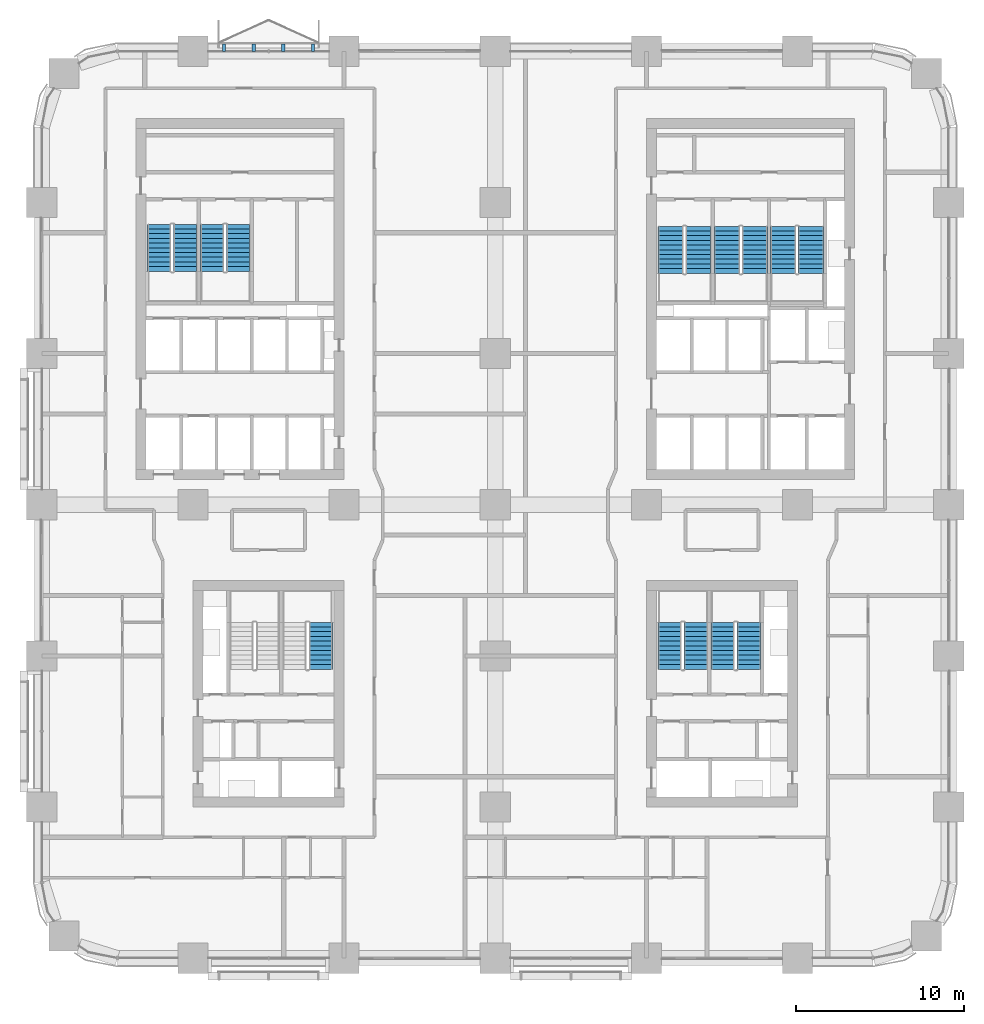
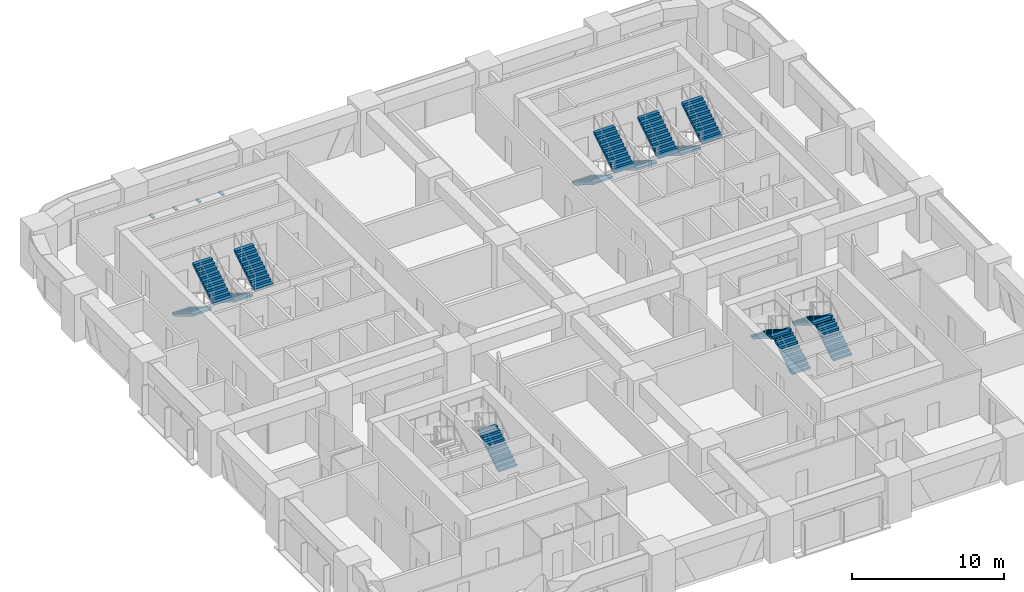
# One storey, part 20 of 23: 15 stair flights, 4 discrete accessories, 8 elements without a shape of their own.
"""IFC4 building model written with IfcOpenShell, lengths in metres."""

from ifc_helpers import new_model, si_unit, direction, frame, origin, origin_2d, place, context, subcontext, project, spatial, polyline, rectangle, outline, extrude, material, type_object, element, aggregate, save


model = new_model("IFC4")

# Units and contexts
model_context = context("Model", 3, precision=1e-05, world=origin(), true_north=direction((0.0, 1.0)))
body_context = subcontext(model_context, "Body", "Model", "MODEL_VIEW")
ifc_project = project(units=[si_unit("LENGTHUNIT", "METRE"), si_unit("AREAUNIT", "SQUARE_METRE"), si_unit("VOLUMEUNIT", "CUBIC_METRE"), si_unit("PLANEANGLEUNIT", "RADIAN"), si_unit("MASSUNIT", "GRAM", prefix="KILO")], contexts=[model_context])

# Site, building, storey
site_placement = place(None, origin())
site = spatial("IfcSite", under=ifc_project, at=site_placement, CompositionType="ELEMENT")
building_placement = place(site_placement, origin())
building = spatial("IfcBuilding", under=site, at=building_placement, Name="Tessera Arch", CompositionType="ELEMENT")
storey_placement = place(building_placement, frame((0.0, 0.0, 57.60009765625)))
storey = spatial("IfcBuildingStorey", under=building, at=storey_placement, Name="L12", CompositionType="ELEMENT", Elevation=57.60009765625)

# Stair, stair flights
ifc_material_1 = material(Name="Concrete C40/50", Category="concrete")
stair_type_1 = type_object("IfcStairType", Name="Dogleg stair 1400", PredefinedType="HALF_TURN_STAIR", material=ifc_material_1)
stair_1_placement = place(storey_placement, origin())
stair_1 = element("IfcStair", 1, at=stair_1_placement, inside=storey, type_object=stair_type_1, Name="L12 S2a", PredefinedType="HALF_TURN_STAIR")
ifc_material_2 = material(Name="Concrete C40/50", Category="concrete")
stair_flight_type_1 = type_object("IfcStairFlightType", Name="Stair flight 1400", PredefinedType="STRAIGHT", material=ifc_material_2)
stair_flight_1_placement = place(storey_placement, frame((7.0, 43.699951171875, 0.0), z_axis=(0.0, 0.0, 1.0), x_axis=(0.0, -1.0, 0.0)))
stair_flight_1 = element("IfcStairFlight", 2, at=stair_flight_1_placement, type_object=stair_flight_type_1, Name="S2a flight 1", NumberOfRisers=11, NumberOfTreads=10, PredefinedType="STRAIGHT", RiserHeight=0.172727273, TreadLength=0.28, context=body_context, shape_type="SweptSolid", body=[
    extrude(outline(polyline([(0.0, 0.0), (0.0, 0.172607421875), (0.280029296875, 0.172607421875), (0.280029296875, 0.345458984375), (0.56005859375, 0.345458984375), (0.56005859375, 0.51806640625), (0.840087890625, 0.51806640625), (0.840087890625, 0.69091796875), (1.1201171875, 0.69091796875), (1.1201171875, 0.863525390625), (1.39990234375, 0.863525390625), (1.39990234375, 1.036376953125), (1.679931640625, 1.036376953125), (1.679931640625, 1.208984375), (1.9599609375, 1.208984375), (1.9599609375, 1.3818359375), (2.239990234375, 1.3818359375), (2.239990234375, 1.554443359375), (2.52001953125, 1.554443359375), (2.52001953125, 1.727294921875), (2.800048828125, 1.727294921875), (2.800048828125, 1.89990234375), (2.800048828125, 1.551025390625), (0.285400390625, 0.0), (0.0, 0.0)])), frame((0.0, 0.699951171875, 0.0), z_axis=(0.0, -1.0, 0.0), x_axis=(1.0, 0.0, 0.0)), (0.0, 0.0, 1.0), 1.39990234375),
])
stair_flight_2_placement = place(storey_placement, frame((8.550048828125, 40.89990234375, 1.89990234375), z_axis=(0.0, 0.0, 1.0), x_axis=(0.0, 1.0, 0.0)))
stair_flight_2 = element("IfcStairFlight", 3, at=stair_flight_2_placement, type_object=stair_flight_type_1, Name="S2a flight 2", NumberOfRisers=11, NumberOfTreads=10, PredefinedType="STRAIGHT", RiserHeight=0.172727273, TreadLength=0.28, context=body_context, shape_type="SweptSolid", body=[
    extrude(outline(polyline([(0.0, 0.0), (0.0, 0.172607421875), (0.280029296875, 0.172607421875), (0.280029296875, 0.345458984375), (0.56005859375, 0.345458984375), (0.56005859375, 0.51806640625), (0.840087890625, 0.51806640625), (0.840087890625, 0.69091796875), (1.1201171875, 0.69091796875), (1.1201171875, 0.863525390625), (1.39990234375, 0.863525390625), (1.39990234375, 1.036376953125), (1.679931640625, 1.036376953125), (1.679931640625, 1.208984375), (1.9599609375, 1.208984375), (1.9599609375, 1.3818359375), (2.239990234375, 1.3818359375), (2.239990234375, 1.554443359375), (2.52001953125, 1.554443359375), (2.52001953125, 1.727294921875), (2.800048828125, 1.727294921875), (2.800048828125, 1.89990234375), (2.800048828125, 1.551025390625), (0.285400390625, 0.0), (0.0, 0.0)])), frame((0.0, 0.699951171875, 0.0), z_axis=(0.0, -1.0, 0.0), x_axis=(1.0, 0.0, 0.0)), (0.0, 0.0, 1.0), 1.39990234375),
])
aggregate(stair_1, [stair_flight_1, stair_flight_2])

stair_2_placement = place(storey_placement, origin())
stair_2 = element("IfcStair", 4, at=stair_2_placement, inside=storey, type_object=stair_type_1, Name="L12 S2b", PredefinedType="HALF_TURN_STAIR")
stair_flight_3_placement = place(storey_placement, frame((10.14990234375, 43.699951171875, 0.0), z_axis=(0.0, 0.0, 1.0), x_axis=(0.0, -1.0, 0.0)))
stair_flight_3 = element("IfcStairFlight", 5, at=stair_flight_3_placement, type_object=stair_flight_type_1, Name="S2b flight 1", NumberOfRisers=11, NumberOfTreads=10, PredefinedType="STRAIGHT", RiserHeight=0.172727273, TreadLength=0.28, context=body_context, shape_type="SweptSolid", body=[
    extrude(outline(polyline([(0.0, 0.0), (0.0, 0.172607421875), (0.280029296875, 0.172607421875), (0.280029296875, 0.345458984375), (0.56005859375, 0.345458984375), (0.56005859375, 0.51806640625), (0.840087890625, 0.51806640625), (0.840087890625, 0.69091796875), (1.1201171875, 0.69091796875), (1.1201171875, 0.863525390625), (1.39990234375, 0.863525390625), (1.39990234375, 1.036376953125), (1.679931640625, 1.036376953125), (1.679931640625, 1.208984375), (1.9599609375, 1.208984375), (1.9599609375, 1.3818359375), (2.239990234375, 1.3818359375), (2.239990234375, 1.554443359375), (2.52001953125, 1.554443359375), (2.52001953125, 1.727294921875), (2.800048828125, 1.727294921875), (2.800048828125, 1.89990234375), (2.800048828125, 1.551025390625), (0.285400390625, 0.0), (0.0, 0.0)])), frame((0.0, 0.699951171875, 0.0), z_axis=(0.0, -1.0, 0.0), x_axis=(1.0, 0.0, 0.0)), (0.0, 0.0, 1.0), 1.39990234375),
])
stair_flight_4_placement = place(storey_placement, frame((11.699951171875, 40.89990234375, 1.89990234375), z_axis=(0.0, 0.0, 1.0), x_axis=(0.0, 1.0, 0.0)))
stair_flight_4 = element("IfcStairFlight", 6, at=stair_flight_4_placement, type_object=stair_flight_type_1, Name="S2b flight 2", NumberOfRisers=11, NumberOfTreads=10, PredefinedType="STRAIGHT", RiserHeight=0.172727273, TreadLength=0.28, context=body_context, shape_type="SweptSolid", body=[
    extrude(outline(polyline([(0.0, 0.0), (0.0, 0.172607421875), (0.280029296875, 0.172607421875), (0.280029296875, 0.345458984375), (0.56005859375, 0.345458984375), (0.56005859375, 0.51806640625), (0.840087890625, 0.51806640625), (0.840087890625, 0.69091796875), (1.1201171875, 0.69091796875), (1.1201171875, 0.863525390625), (1.39990234375, 0.863525390625), (1.39990234375, 1.036376953125), (1.679931640625, 1.036376953125), (1.679931640625, 1.208984375), (1.9599609375, 1.208984375), (1.9599609375, 1.3818359375), (2.239990234375, 1.3818359375), (2.239990234375, 1.554443359375), (2.52001953125, 1.554443359375), (2.52001953125, 1.727294921875), (2.800048828125, 1.727294921875), (2.800048828125, 1.89990234375), (2.800048828125, 1.551025390625), (0.285400390625, 0.0), (0.0, 0.0)])), frame((0.0, 0.699951171875, 0.0), z_axis=(0.0, -1.0, 0.0), x_axis=(1.0, 0.0, 0.0)), (0.0, 0.0, 1.0), 1.39990234375),
])
aggregate(stair_2, [stair_flight_3, stair_flight_4])

stair_3_placement = place(storey_placement, origin())
stair_3 = element("IfcStair", 7, at=stair_3_placement, inside=storey, type_object=stair_type_1, Name="L12 S3a", PredefinedType="HALF_TURN_STAIR")
stair_flight_5_placement = place(storey_placement, frame((38.949951171875, 17.199951171875, 0.0), z_axis=(0.0, 0.0, 1.0), x_axis=(0.0, 1.0, 0.0)))
stair_flight_5 = element("IfcStairFlight", 8, at=stair_flight_5_placement, type_object=stair_flight_type_1, Name="S3a flight 1", NumberOfRisers=11, NumberOfTreads=10, PredefinedType="STRAIGHT", RiserHeight=0.172727273, TreadLength=0.28, context=body_context, shape_type="SweptSolid", body=[
    extrude(outline(polyline([(0.0, 0.0), (0.0, 0.172607421875), (0.280029296875, 0.172607421875), (0.280029296875, 0.345458984375), (0.56005859375, 0.345458984375), (0.56005859375, 0.51806640625), (0.840087890625, 0.51806640625), (0.840087890625, 0.69091796875), (1.1201171875, 0.69091796875), (1.1201171875, 0.863525390625), (1.39990234375, 0.863525390625), (1.39990234375, 1.036376953125), (1.679931640625, 1.036376953125), (1.679931640625, 1.208984375), (1.9599609375, 1.208984375), (1.9599609375, 1.3818359375), (2.239990234375, 1.3818359375), (2.239990234375, 1.554443359375), (2.52001953125, 1.554443359375), (2.52001953125, 1.727294921875), (2.800048828125, 1.727294921875), (2.800048828125, 1.89990234375), (2.800048828125, 1.551025390625), (0.285400390625, 0.0), (0.0, 0.0)])), frame((0.0, 0.699951171875, 0.0), z_axis=(0.0, -1.0, 0.0), x_axis=(1.0, 0.0, 0.0)), (0.0, 0.0, 1.0), 1.39990234375),
])
stair_flight_6_placement = place(storey_placement, frame((37.39990234375, 20.0, 1.89990234375), z_axis=(0.0, 0.0, 1.0), x_axis=(0.0, -1.0, 0.0)))
stair_flight_6 = element("IfcStairFlight", 9, at=stair_flight_6_placement, type_object=stair_flight_type_1, Name="S3a flight 2", NumberOfRisers=11, NumberOfTreads=10, PredefinedType="STRAIGHT", RiserHeight=0.172727273, TreadLength=0.28, context=body_context, shape_type="SweptSolid", body=[
    extrude(outline(polyline([(0.0, 0.0), (0.0, 0.172607421875), (0.280029296875, 0.172607421875), (0.280029296875, 0.345458984375), (0.56005859375, 0.345458984375), (0.56005859375, 0.51806640625), (0.840087890625, 0.51806640625), (0.840087890625, 0.69091796875), (1.1201171875, 0.69091796875), (1.1201171875, 0.863525390625), (1.39990234375, 0.863525390625), (1.39990234375, 1.036376953125), (1.679931640625, 1.036376953125), (1.679931640625, 1.208984375), (1.9599609375, 1.208984375), (1.9599609375, 1.3818359375), (2.239990234375, 1.3818359375), (2.239990234375, 1.554443359375), (2.52001953125, 1.554443359375), (2.52001953125, 1.727294921875), (2.800048828125, 1.727294921875), (2.800048828125, 1.89990234375), (2.800048828125, 1.551025390625), (0.285400390625, 0.0), (0.0, 0.0)])), frame((0.0, 0.699951171875, 0.0), z_axis=(0.0, -1.0, 0.0), x_axis=(1.0, 0.0, 0.0)), (0.0, 0.0, 1.0), 1.39990234375),
])
aggregate(stair_3, [stair_flight_5, stair_flight_6])

stair_4_placement = place(storey_placement, origin())
stair_4 = element("IfcStair", 10, at=stair_4_placement, inside=storey, type_object=stair_type_1, Name="L12 S3b", PredefinedType="HALF_TURN_STAIR")
stair_flight_7_placement = place(storey_placement, frame((42.10009765625, 17.199951171875, 0.0), z_axis=(0.0, 0.0, 1.0), x_axis=(0.0, 1.0, 0.0)))
stair_flight_7 = element("IfcStairFlight", 11, at=stair_flight_7_placement, type_object=stair_flight_type_1, Name="S3b flight 1", NumberOfRisers=11, NumberOfTreads=10, PredefinedType="STRAIGHT", RiserHeight=0.172727273, TreadLength=0.28, context=body_context, shape_type="SweptSolid", body=[
    extrude(outline(polyline([(0.0, 0.0), (0.0, 0.172607421875), (0.280029296875, 0.172607421875), (0.280029296875, 0.345458984375), (0.56005859375, 0.345458984375), (0.56005859375, 0.51806640625), (0.840087890625, 0.51806640625), (0.840087890625, 0.69091796875), (1.1201171875, 0.69091796875), (1.1201171875, 0.863525390625), (1.39990234375, 0.863525390625), (1.39990234375, 1.036376953125), (1.679931640625, 1.036376953125), (1.679931640625, 1.208984375), (1.9599609375, 1.208984375), (1.9599609375, 1.3818359375), (2.239990234375, 1.3818359375), (2.239990234375, 1.554443359375), (2.52001953125, 1.554443359375), (2.52001953125, 1.727294921875), (2.800048828125, 1.727294921875), (2.800048828125, 1.89990234375), (2.800048828125, 1.551025390625), (0.285400390625, 0.0), (0.0, 0.0)])), frame((0.0, 0.699951171875, 0.0), z_axis=(0.0, -1.0, 0.0), x_axis=(1.0, 0.0, 0.0)), (0.0, 0.0, 1.0), 1.39990234375),
])
stair_flight_8_placement = place(storey_placement, frame((40.550048828125, 20.0, 1.89990234375), z_axis=(0.0, 0.0, 1.0), x_axis=(0.0, -1.0, 0.0)))
stair_flight_8 = element("IfcStairFlight", 12, at=stair_flight_8_placement, type_object=stair_flight_type_1, Name="S3b flight 2", NumberOfRisers=11, NumberOfTreads=10, PredefinedType="STRAIGHT", RiserHeight=0.172727273, TreadLength=0.28, context=body_context, shape_type="SweptSolid", body=[
    extrude(outline(polyline([(0.0, 0.0), (0.0, 0.172607421875), (0.280029296875, 0.172607421875), (0.280029296875, 0.345458984375), (0.56005859375, 0.345458984375), (0.56005859375, 0.51806640625), (0.840087890625, 0.51806640625), (0.840087890625, 0.69091796875), (1.1201171875, 0.69091796875), (1.1201171875, 0.863525390625), (1.39990234375, 0.863525390625), (1.39990234375, 1.036376953125), (1.679931640625, 1.036376953125), (1.679931640625, 1.208984375), (1.9599609375, 1.208984375), (1.9599609375, 1.3818359375), (2.239990234375, 1.3818359375), (2.239990234375, 1.554443359375), (2.52001953125, 1.554443359375), (2.52001953125, 1.727294921875), (2.800048828125, 1.727294921875), (2.800048828125, 1.89990234375), (2.800048828125, 1.551025390625), (0.285400390625, 0.0), (0.0, 0.0)])), frame((0.0, 0.699951171875, 0.0), z_axis=(0.0, -1.0, 0.0), x_axis=(1.0, 0.0, 0.0)), (0.0, 0.0, 1.0), 1.39990234375),
])
aggregate(stair_4, [stair_flight_7, stair_flight_8])

# Stair, stair flight
stair_5_placement = place(storey_placement, origin())
stair_5 = element("IfcStair", 13, at=stair_5_placement, inside=storey, type_object=stair_type_1, Name="L12 S4a", PredefinedType="HALF_TURN_STAIR")
stair_flight_9_placement = place(storey_placement, frame((16.60009765625, 17.199951171875, 0.0), z_axis=(0.0, 0.0, 1.0), x_axis=(0.0, 1.0, 0.0)))
stair_flight_9 = element("IfcStairFlight", 14, at=stair_flight_9_placement, type_object=stair_flight_type_1, Name="S4a flight 1", NumberOfRisers=11, NumberOfTreads=10, PredefinedType="STRAIGHT", RiserHeight=0.172727273, TreadLength=0.28, context=body_context, shape_type="SweptSolid", body=[
    extrude(outline(polyline([(0.0, 0.0), (0.0, 0.172607421875), (0.280029296875, 0.172607421875), (0.280029296875, 0.345458984375), (0.56005859375, 0.345458984375), (0.56005859375, 0.51806640625), (0.840087890625, 0.51806640625), (0.840087890625, 0.69091796875), (1.1201171875, 0.69091796875), (1.1201171875, 0.863525390625), (1.39990234375, 0.863525390625), (1.39990234375, 1.036376953125), (1.679931640625, 1.036376953125), (1.679931640625, 1.208984375), (1.9599609375, 1.208984375), (1.9599609375, 1.3818359375), (2.239990234375, 1.3818359375), (2.239990234375, 1.554443359375), (2.52001953125, 1.554443359375), (2.52001953125, 1.727294921875), (2.800048828125, 1.727294921875), (2.800048828125, 1.89990234375), (2.800048828125, 1.551025390625), (0.285400390625, 0.0), (0.0, 0.0)])), frame((0.0, 0.699951171875, 0.0), z_axis=(0.0, -1.0, 0.0), x_axis=(1.0, 0.0, 0.0)), (0.0, 0.0, 1.0), 1.39990234375),
])
aggregate(stair_5, [stair_flight_9])

# Stair, stair flights
ifc_material_3 = material(Name="Concrete C40/50", Category="concrete")
stair_type_2 = type_object("IfcStairType", Name="Dogleg stair 1520", PredefinedType="HALF_TURN_STAIR", material=ifc_material_3)
stair_6_placement = place(storey_placement, origin())
stair_6 = element("IfcStair", 15, at=stair_6_placement, inside=storey, type_object=stair_type_2, Name="L12 S1a", PredefinedType="HALF_TURN_STAIR")
ifc_material_4 = material(Name="Concrete C40/50", Category="concrete")
stair_flight_type_2 = type_object("IfcStairFlightType", Name="Stair flight 1520", PredefinedType="STRAIGHT", material=ifc_material_4)
stair_flight_10_placement = place(storey_placement, frame((37.4599609375, 43.580078125, 0.0), z_axis=(0.0, 0.0, 1.0), x_axis=(0.0, -1.0, 0.0)))
stair_flight_10 = element("IfcStairFlight", 16, at=stair_flight_10_placement, type_object=stair_flight_type_2, Name="S1a flight 1", NumberOfRisers=11, NumberOfTreads=10, PredefinedType="STRAIGHT", RiserHeight=0.172727273, TreadLength=0.28, context=body_context, shape_type="SweptSolid", body=[
    extrude(outline(polyline([(0.0, 0.0), (0.0, 0.172607421875), (0.280029296875, 0.172607421875), (0.280029296875, 0.345458984375), (0.56005859375, 0.345458984375), (0.56005859375, 0.51806640625), (0.840087890625, 0.51806640625), (0.840087890625, 0.69091796875), (1.1201171875, 0.69091796875), (1.1201171875, 0.863525390625), (1.39990234375, 0.863525390625), (1.39990234375, 1.036376953125), (1.679931640625, 1.036376953125), (1.679931640625, 1.208984375), (1.9599609375, 1.208984375), (1.9599609375, 1.3818359375), (2.239990234375, 1.3818359375), (2.239990234375, 1.554443359375), (2.52001953125, 1.554443359375), (2.52001953125, 1.727294921875), (2.800048828125, 1.727294921875), (2.800048828125, 1.89990234375), (2.800048828125, 1.551025390625), (0.285400390625, 0.0), (0.0, 0.0)])), frame((0.0, 0.760009765625, 0.0), z_axis=(0.0, -1.0, 0.0), x_axis=(1.0, 0.0, 0.0)), (0.0, 0.0, 1.0), 1.52001953125),
])
stair_flight_11_placement = place(storey_placement, frame((39.090087890625, 40.780029296875, 1.89990234375), z_axis=(0.0, 0.0, 1.0), x_axis=(0.0, 1.0, 0.0)))
stair_flight_11 = element("IfcStairFlight", 17, at=stair_flight_11_placement, type_object=stair_flight_type_2, Name="S1a flight 2", NumberOfRisers=11, NumberOfTreads=10, PredefinedType="STRAIGHT", RiserHeight=0.172727273, TreadLength=0.28, context=body_context, shape_type="SweptSolid", body=[
    extrude(outline(polyline([(0.0, 0.0), (0.0, 0.172607421875), (0.280029296875, 0.172607421875), (0.280029296875, 0.345458984375), (0.56005859375, 0.345458984375), (0.56005859375, 0.51806640625), (0.840087890625, 0.51806640625), (0.840087890625, 0.69091796875), (1.1201171875, 0.69091796875), (1.1201171875, 0.863525390625), (1.39990234375, 0.863525390625), (1.39990234375, 1.036376953125), (1.679931640625, 1.036376953125), (1.679931640625, 1.208984375), (1.9599609375, 1.208984375), (1.9599609375, 1.3818359375), (2.239990234375, 1.3818359375), (2.239990234375, 1.554443359375), (2.52001953125, 1.554443359375), (2.52001953125, 1.727294921875), (2.800048828125, 1.727294921875), (2.800048828125, 1.89990234375), (2.800048828125, 1.551025390625), (0.285400390625, 0.0), (0.0, 0.0)])), frame((0.0, 0.760009765625, 0.0), z_axis=(0.0, -1.0, 0.0), x_axis=(1.0, 0.0, 0.0)), (0.0, 0.0, 1.0), 1.52001953125),
])
aggregate(stair_6, [stair_flight_10, stair_flight_11])

stair_7_placement = place(storey_placement, origin())
stair_7 = element("IfcStair", 18, at=stair_7_placement, inside=storey, type_object=stair_type_2, Name="L12 S1b", PredefinedType="HALF_TURN_STAIR")
stair_flight_12_placement = place(storey_placement, frame((40.81005859375, 43.580078125, 0.0), z_axis=(0.0, 0.0, 1.0), x_axis=(0.0, -1.0, 0.0)))
stair_flight_12 = element("IfcStairFlight", 19, at=stair_flight_12_placement, type_object=stair_flight_type_2, Name="S1b flight 1", NumberOfRisers=11, NumberOfTreads=10, PredefinedType="STRAIGHT", RiserHeight=0.172727273, TreadLength=0.28, context=body_context, shape_type="SweptSolid", body=[
    extrude(outline(polyline([(0.0, 0.0), (0.0, 0.172607421875), (0.280029296875, 0.172607421875), (0.280029296875, 0.345458984375), (0.56005859375, 0.345458984375), (0.56005859375, 0.51806640625), (0.840087890625, 0.51806640625), (0.840087890625, 0.69091796875), (1.1201171875, 0.69091796875), (1.1201171875, 0.863525390625), (1.39990234375, 0.863525390625), (1.39990234375, 1.036376953125), (1.679931640625, 1.036376953125), (1.679931640625, 1.208984375), (1.9599609375, 1.208984375), (1.9599609375, 1.3818359375), (2.239990234375, 1.3818359375), (2.239990234375, 1.554443359375), (2.52001953125, 1.554443359375), (2.52001953125, 1.727294921875), (2.800048828125, 1.727294921875), (2.800048828125, 1.89990234375), (2.800048828125, 1.551025390625), (0.285400390625, 0.0), (0.0, 0.0)])), frame((0.0, 0.760009765625, 0.0), z_axis=(0.0, -1.0, 0.0), x_axis=(1.0, 0.0, 0.0)), (0.0, 0.0, 1.0), 1.52001953125),
])
stair_flight_13_placement = place(storey_placement, frame((42.43994140625, 40.780029296875, 1.89990234375), z_axis=(0.0, 0.0, 1.0), x_axis=(0.0, 1.0, 0.0)))
stair_flight_13 = element("IfcStairFlight", 20, at=stair_flight_13_placement, type_object=stair_flight_type_2, Name="S1b flight 2", NumberOfRisers=11, NumberOfTreads=10, PredefinedType="STRAIGHT", RiserHeight=0.172727273, TreadLength=0.28, context=body_context, shape_type="SweptSolid", body=[
    extrude(outline(polyline([(0.0, 0.0), (0.0, 0.172607421875), (0.280029296875, 0.172607421875), (0.280029296875, 0.345458984375), (0.56005859375, 0.345458984375), (0.56005859375, 0.51806640625), (0.840087890625, 0.51806640625), (0.840087890625, 0.69091796875), (1.1201171875, 0.69091796875), (1.1201171875, 0.863525390625), (1.39990234375, 0.863525390625), (1.39990234375, 1.036376953125), (1.679931640625, 1.036376953125), (1.679931640625, 1.208984375), (1.9599609375, 1.208984375), (1.9599609375, 1.3818359375), (2.239990234375, 1.3818359375), (2.239990234375, 1.554443359375), (2.52001953125, 1.554443359375), (2.52001953125, 1.727294921875), (2.800048828125, 1.727294921875), (2.800048828125, 1.89990234375), (2.800048828125, 1.551025390625), (0.285400390625, 0.0), (0.0, 0.0)])), frame((0.0, 0.760009765625, 0.0), z_axis=(0.0, -1.0, 0.0), x_axis=(1.0, 0.0, 0.0)), (0.0, 0.0, 1.0), 1.52001953125),
])
aggregate(stair_7, [stair_flight_12, stair_flight_13])

stair_8_placement = place(storey_placement, origin())
stair_8 = element("IfcStair", 21, at=stair_8_placement, inside=storey, type_object=stair_type_2, Name="L12 S1c", PredefinedType="HALF_TURN_STAIR")
stair_flight_14_placement = place(storey_placement, frame((44.159912109375, 43.580078125, 0.0), z_axis=(0.0, 0.0, 1.0), x_axis=(0.0, -1.0, 0.0)))
stair_flight_14 = element("IfcStairFlight", 22, at=stair_flight_14_placement, type_object=stair_flight_type_2, Name="S1c flight 1", NumberOfRisers=11, NumberOfTreads=10, PredefinedType="STRAIGHT", RiserHeight=0.172727273, TreadLength=0.28, context=body_context, shape_type="SweptSolid", body=[
    extrude(outline(polyline([(0.0, 0.0), (0.0, 0.172607421875), (0.280029296875, 0.172607421875), (0.280029296875, 0.345458984375), (0.56005859375, 0.345458984375), (0.56005859375, 0.51806640625), (0.840087890625, 0.51806640625), (0.840087890625, 0.69091796875), (1.1201171875, 0.69091796875), (1.1201171875, 0.863525390625), (1.39990234375, 0.863525390625), (1.39990234375, 1.036376953125), (1.679931640625, 1.036376953125), (1.679931640625, 1.208984375), (1.9599609375, 1.208984375), (1.9599609375, 1.3818359375), (2.239990234375, 1.3818359375), (2.239990234375, 1.554443359375), (2.52001953125, 1.554443359375), (2.52001953125, 1.727294921875), (2.800048828125, 1.727294921875), (2.800048828125, 1.89990234375), (2.800048828125, 1.551025390625), (0.285400390625, 0.0), (0.0, 0.0)])), frame((0.0, 0.760009765625, 0.0), z_axis=(0.0, -1.0, 0.0), x_axis=(1.0, 0.0, 0.0)), (0.0, 0.0, 1.0), 1.52001953125),
])
stair_flight_15_placement = place(storey_placement, frame((45.7900390625, 40.780029296875, 1.89990234375), z_axis=(0.0, 0.0, 1.0), x_axis=(0.0, 1.0, 0.0)))
stair_flight_15 = element("IfcStairFlight", 23, at=stair_flight_15_placement, type_object=stair_flight_type_2, Name="S1c flight 2", NumberOfRisers=11, NumberOfTreads=10, PredefinedType="STRAIGHT", RiserHeight=0.172727273, TreadLength=0.28, context=body_context, shape_type="SweptSolid", body=[
    extrude(outline(polyline([(0.0, 0.0), (0.0, 0.172607421875), (0.280029296875, 0.172607421875), (0.280029296875, 0.345458984375), (0.56005859375, 0.345458984375), (0.56005859375, 0.51806640625), (0.840087890625, 0.51806640625), (0.840087890625, 0.69091796875), (1.1201171875, 0.69091796875), (1.1201171875, 0.863525390625), (1.39990234375, 0.863525390625), (1.39990234375, 1.036376953125), (1.679931640625, 1.036376953125), (1.679931640625, 1.208984375), (1.9599609375, 1.208984375), (1.9599609375, 1.3818359375), (2.239990234375, 1.3818359375), (2.239990234375, 1.554443359375), (2.52001953125, 1.554443359375), (2.52001953125, 1.727294921875), (2.800048828125, 1.727294921875), (2.800048828125, 1.89990234375), (2.800048828125, 1.551025390625), (0.285400390625, 0.0), (0.0, 0.0)])), frame((0.0, 0.760009765625, 0.0), z_axis=(0.0, -1.0, 0.0), x_axis=(1.0, 0.0, 0.0)), (0.0, 0.0, 1.0), 1.52001953125),
])
aggregate(stair_8, [stair_flight_14, stair_flight_15])

# Discrete accessories
for number, where, z_axis, x_axis, name in (
    (24, (16.14990234375, 54.219970703125, -0.1201171875), (0.0, 0.0, 1.0), (0.0, 1.0, 0.0), "Window box bracket"),
    (25, (14.38330078125, 54.219970703125, -0.1201171875), (0.0, 0.0, 1.0), (0.0, 1.0, 0.0), "Window box bracket"),
    (26, (12.61669921875, 54.219970703125, -0.1201171875), (0.0, 0.0, 1.0), (0.0, 1.0, 0.0), "Window box bracket"),
    (27, (10.85009765625, 54.219970703125, -0.1201171875), (0.0, 0.0, 1.0), (0.0, 1.0, 0.0), "Window box bracket"),
):
    element("IfcDiscreteAccessory", number, at=place(storey_placement, frame(where, z_axis=z_axis, x_axis=x_axis)), inside=storey, Name=name, PredefinedType="BRACKET", context=body_context, shape_type="SweptSolid", body=[
        extrude(rectangle(XDim=0.43994140625, YDim=0.199951171875, at=origin_2d()), origin(), (0.0, 0.0, 1.0), 0.1201171875),
    ])

save(model, "model.ifc")
